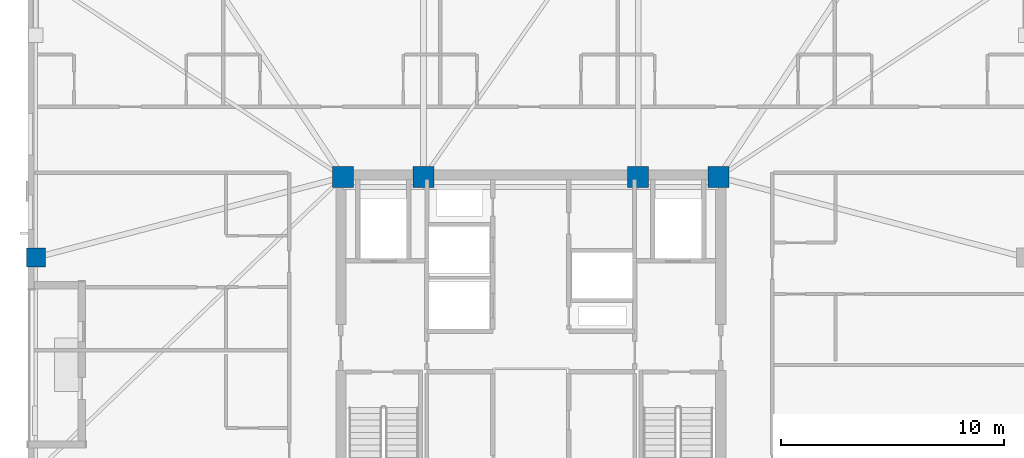
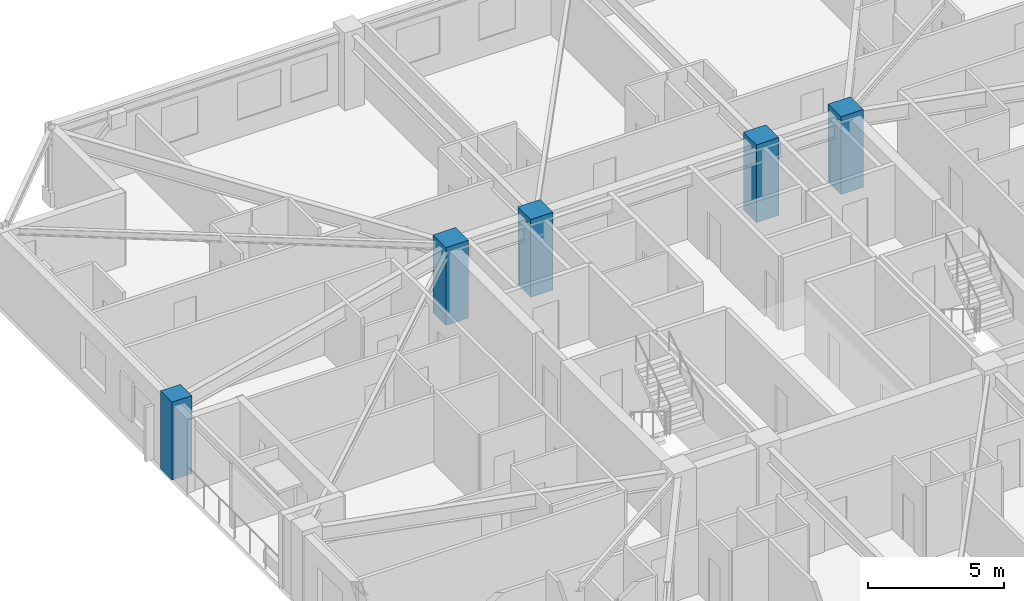
# One storey, part 2 of 17: 5 columns.
"""IFC4 building model written with IfcOpenShell, lengths in metres."""

from ifc_helpers import new_model, si_unit, direction, frame, origin, origin_2d, place, context, subcontext, project, spatial, rectangle, extrude, material, material_profile, profile_set, type_object, element, save


model = new_model("IFC4")

# Units and contexts
model_context = context("Model", 3, precision=1e-05, world=origin(), true_north=direction((0.0, 1.0)))
body_context = subcontext(model_context, "Body", "Model", "MODEL_VIEW")
ifc_project = project(units=[si_unit("LENGTHUNIT", "METRE"), si_unit("AREAUNIT", "SQUARE_METRE"), si_unit("VOLUMEUNIT", "CUBIC_METRE"), si_unit("PLANEANGLEUNIT", "RADIAN"), si_unit("MASSUNIT", "GRAM", prefix="KILO")], contexts=[model_context])

# Site, building, storey
site_placement = place(None, origin())
site = spatial("IfcSite", under=ifc_project, at=site_placement, CompositionType="ELEMENT")
building_placement = place(site_placement, origin())
building = spatial("IfcBuilding", under=site, at=building_placement, Name="Cairnveth Concourse Tower", CompositionType="ELEMENT")
storey_placement = place(building_placement, frame((0.0, 0.0, 241.0)))
storey = spatial("IfcBuildingStorey", under=building, at=storey_placement, Name="L66", CompositionType="ELEMENT", Elevation=241.0)

# Columns
ifc_material = material(Name="Concrete N65 (65 MPa)", Category="concrete")
ifc_material_profile_1 = material_profile(ifc_material, rectangle(XDim=0.949951171875, YDim=0.949951171875, at=origin_2d()), Name="RC-COL-950x950")
ifc_profile_set_1 = profile_set([ifc_material_profile_1], Name="Concrete N65 (65 MPa)")
column_type_1 = type_object("IfcColumnType", Name="CORE COLUMN 950X950", PredefinedType="COLUMN", material=ifc_profile_set_1)
for number, where, z_axis, x_axis, name in (
    (1, (43.60009765625, 47.39990234375, 0.0), (0.0, 0.0, 1.0), (1.0, 0.0, 0.0), "Column CC5 L66"),
    (2, (47.199951171875, 47.39990234375, 0.0), (0.0, 0.0, 1.0), (1.0, 0.0, 0.0), "Column CC6 L66"),
    (3, (56.800048828125, 47.39990234375, 0.0), (0.0, 0.0, 1.0), (1.0, 0.0, 0.0), "Column CC7 L66"),
    (4, (60.39990234375, 47.39990234375, 0.0), (0.0, 0.0, 1.0), (1.0, 0.0, 0.0), "Column CC8 L66"),
):
    element("IfcColumn", number, at=place(storey_placement, frame(where, z_axis=z_axis, x_axis=x_axis)), inside=storey, type_object=column_type_1, Name=name, PredefinedType="COLUMN", context=body_context, shape_type="SweptSolid", body=[
        extrude(rectangle(XDim=0.949951171875, YDim=0.949951171875, at=origin_2d()), origin(), (0.0, 0.0, 1.0), 3.5),
    ])
ifc_material_profile_2 = material_profile(ifc_material, rectangle(XDim=0.85009765625, YDim=0.85009765625, at=origin_2d()), Name="RC-COL-850x850")
ifc_profile_set_2 = profile_set([ifc_material_profile_2], Name="Concrete N65 (65 MPa)")
column_type_2 = type_object("IfcColumnType", Name="PERIMETER PIER COLUMN 850X850", PredefinedType="COLUMN", material=ifc_profile_set_2)
column_placement = place(storey_placement, frame((29.85009765625, 43.800048828125, 0.0), z_axis=(0.0, 0.0, 1.0), x_axis=(0.0, 1.0, 0.0)))
element("IfcColumn", 5, at=column_placement, inside=storey, type_object=column_type_2, Name="Column P-W2 L66", PredefinedType="COLUMN", context=body_context, shape_type="SweptSolid", body=[
    extrude(rectangle(XDim=0.85009765625, YDim=0.85009765625, at=origin_2d()), origin(), (0.0, 0.0, 1.0), 3.5),
])

save(model, "model.ifc")
